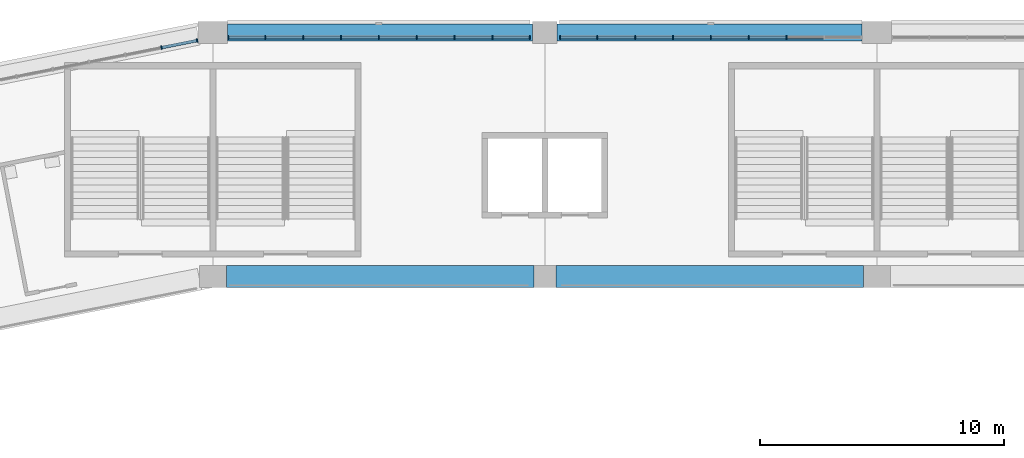
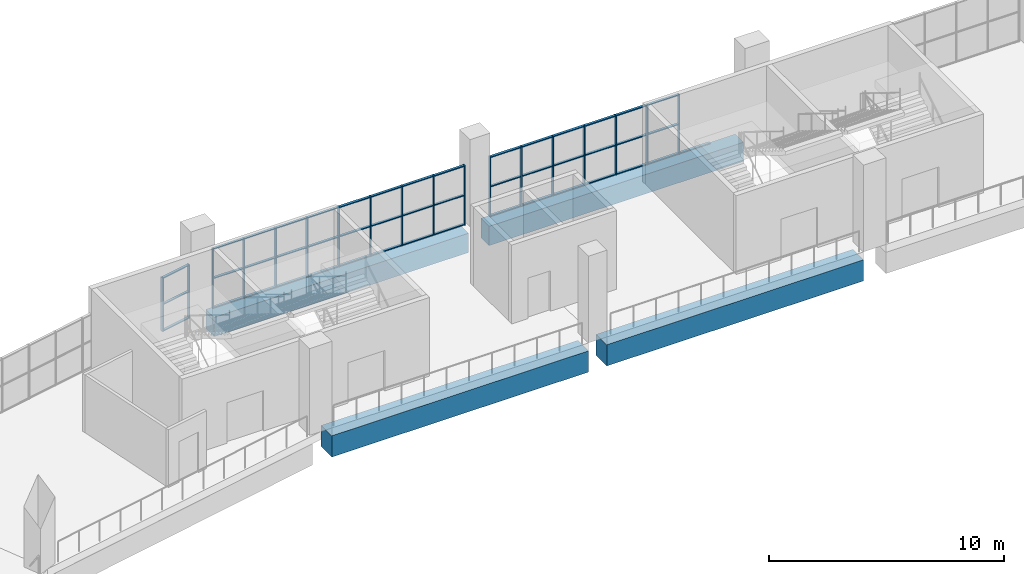
# One storey, part 32 of 177: 64 members, 4 beams, 3 elements without a shape of their own.
"""IFC4 building model written with IfcOpenShell, lengths in metres."""

from ifc_helpers import new_model, si_unit, direction, frame, origin, origin_2d, place, context, subcontext, project, spatial, rectangle, extrude, material, material_profile, profile_set, type_object, element, aggregate, save


model = new_model("IFC4")

# Units and contexts
model_context = context("Model", 3, precision=1e-05, world=origin(), true_north=direction((0.0, 1.0)))
body_context = subcontext(model_context, "Body", "Model", "MODEL_VIEW")
ifc_project = project(units=[si_unit("LENGTHUNIT", "METRE"), si_unit("AREAUNIT", "SQUARE_METRE"), si_unit("VOLUMEUNIT", "CUBIC_METRE"), si_unit("PLANEANGLEUNIT", "RADIAN"), si_unit("MASSUNIT", "GRAM", prefix="KILO")], contexts=[model_context])

# Site, building, storey
site_placement = place(None, origin())
site = spatial("IfcSite", under=ifc_project, at=site_placement, CompositionType="ELEMENT")
building_placement = place(site_placement, origin())
building = spatial("IfcBuilding", under=site, at=building_placement, Name="Ogive Plaza Stadium", CompositionType="ELEMENT")
storey_placement = place(building_placement, frame((0.0, 0.0, 18.0)))
storey = spatial("IfcBuildingStorey", under=building, at=storey_placement, Name="L04", CompositionType="ELEMENT", Elevation=18.0)

# Curtain wall, members
ifc_material_1 = material(Name="Bronze-anodised aluminium with laminated glass", Category="aluminium")
curtain_wall_type = type_object("IfcCurtainWallType", Name="Lancet curtain wall", PredefinedType="NOTDEFINED", material=ifc_material_1)
curtain_wall_1_placement = place(storey_placement, origin())
curtain_wall_1 = element("IfcCurtainWall", 1, at=curtain_wall_1_placement, inside=storey, type_object=curtain_wall_type, Name="CURTAIN WALL B31 L04", PredefinedType="NOTDEFINED")
ifc_material_2 = material(Name="Bronze-anodised aluminium", Category="aluminium")
ifc_material_profile_1 = material_profile(ifc_material_2, rectangle(XDim=0.14990234375, YDim=0.050048828125, at=origin_2d()), Name="AL 150x50")
ifc_profile_set_1 = profile_set([ifc_material_profile_1], Name="Bronze-anodised aluminium")
member_type_1 = type_object("IfcMemberType", Name="Curtain wall mullion 50x150", PredefinedType="MULLION", material=ifc_profile_set_1)
member_1_placement = place(storey_placement, frame((-36.104248046875, 101.87744140625, 0.0), z_axis=(0.0, 0.0, 1.0), x_axis=(-0.195090322016, 0.980785280403, 0.0)))
member_1 = element("IfcMember", 2, at=member_1_placement, type_object=member_type_1, Name="CW-B31-L04 mullion 12", PredefinedType="MULLION", context=body_context, shape_type="SweptSolid", body=[
    extrude(rectangle(XDim=0.14990234375, YDim=0.050048828125, at=origin_2d()), origin(), (0.0, 0.0, 1.0), 2.7900390625),
])
member_2_placement = place(storey_placement, frame((-34.64404296875, 102.16796875, 0.0), z_axis=(0.0, 0.0, 1.0), x_axis=(-0.195090322016, 0.980785280403, 0.0)))
member_2 = element("IfcMember", 3, at=member_2_placement, type_object=member_type_1, Name="CW-B31-L04 mullion 13", PredefinedType="MULLION", context=body_context, shape_type="SweptSolid", body=[
    extrude(rectangle(XDim=0.14990234375, YDim=0.050048828125, at=origin_2d()), origin(), (0.0, 0.0, 1.0), 2.7900390625),
])

curtain_wall_2_placement = place(storey_placement, origin())
curtain_wall_2 = element("IfcCurtainWall", 4, at=curtain_wall_2_placement, inside=storey, type_object=curtain_wall_type, Name="CURTAIN WALL B32 L04", PredefinedType="NOTDEFINED")
member_3_placement = place(storey_placement, frame((-33.375, 102.300048828125, 0.0), z_axis=(0.0, 0.0, 1.0), x_axis=(0.0, 1.0, 0.0)))
member_3 = element("IfcMember", 5, at=member_3_placement, type_object=member_type_1, Name="CW-B32-L04 mullion 1", PredefinedType="MULLION", context=body_context, shape_type="SweptSolid", body=[
    extrude(rectangle(XDim=0.14990234375, YDim=0.050048828125, at=origin_2d()), origin(), (0.0, 0.0, 1.0), 3.090087890625),
])
member_4_placement = place(storey_placement, frame((-31.85009765625, 102.300048828125, 0.0), z_axis=(0.0, 0.0, 1.0), x_axis=(0.0, 1.0, 0.0)))
member_4 = element("IfcMember", 6, at=member_4_placement, type_object=member_type_1, Name="CW-B32-L04 mullion 2", PredefinedType="MULLION", context=body_context, shape_type="SweptSolid", body=[
    extrude(rectangle(XDim=0.14990234375, YDim=0.050048828125, at=origin_2d()), origin(), (0.0, 0.0, 1.0), 3.090087890625),
])
member_5_placement = place(storey_placement, frame((-30.300048828125, 102.300048828125, 0.0), z_axis=(0.0, 0.0, 1.0), x_axis=(0.0, 1.0, 0.0)))
member_5 = element("IfcMember", 7, at=member_5_placement, type_object=member_type_1, Name="CW-B32-L04 mullion 3", PredefinedType="MULLION", context=body_context, shape_type="SweptSolid", body=[
    extrude(rectangle(XDim=0.14990234375, YDim=0.050048828125, at=origin_2d()), origin(), (0.0, 0.0, 1.0), 3.090087890625),
])
member_6_placement = place(storey_placement, frame((-28.75, 102.300048828125, 0.0), z_axis=(0.0, 0.0, 1.0), x_axis=(0.0, 1.0, 0.0)))
member_6 = element("IfcMember", 8, at=member_6_placement, type_object=member_type_1, Name="CW-B32-L04 mullion 4", PredefinedType="MULLION", context=body_context, shape_type="SweptSolid", body=[
    extrude(rectangle(XDim=0.14990234375, YDim=0.050048828125, at=origin_2d()), origin(), (0.0, 0.0, 1.0), 3.090087890625),
])
member_7_placement = place(storey_placement, frame((-27.199951171875, 102.300048828125, 0.0), z_axis=(0.0, 0.0, 1.0), x_axis=(0.0, 1.0, 0.0)))
member_7 = element("IfcMember", 9, at=member_7_placement, type_object=member_type_1, Name="CW-B32-L04 mullion 5", PredefinedType="MULLION", context=body_context, shape_type="SweptSolid", body=[
    extrude(rectangle(XDim=0.14990234375, YDim=0.050048828125, at=origin_2d()), origin(), (0.0, 0.0, 1.0), 3.090087890625),
])
member_8_placement = place(storey_placement, frame((-25.64990234375, 102.300048828125, 0.0), z_axis=(0.0, 0.0, 1.0), x_axis=(0.0, 1.0, 0.0)))
member_8 = element("IfcMember", 10, at=member_8_placement, type_object=member_type_1, Name="CW-B32-L04 mullion 6", PredefinedType="MULLION", context=body_context, shape_type="SweptSolid", body=[
    extrude(rectangle(XDim=0.14990234375, YDim=0.050048828125, at=origin_2d()), origin(), (0.0, 0.0, 1.0), 3.090087890625),
])
member_9_placement = place(storey_placement, frame((-24.10009765625, 102.300048828125, 0.0), z_axis=(0.0, 0.0, 1.0), x_axis=(0.0, 1.0, 0.0)))
member_9 = element("IfcMember", 11, at=member_9_placement, type_object=member_type_1, Name="CW-B32-L04 mullion 7", PredefinedType="MULLION", context=body_context, shape_type="SweptSolid", body=[
    extrude(rectangle(XDim=0.14990234375, YDim=0.050048828125, at=origin_2d()), origin(), (0.0, 0.0, 1.0), 3.090087890625),
])
member_10_placement = place(storey_placement, frame((-22.550048828125, 102.300048828125, 0.0), z_axis=(0.0, 0.0, 1.0), x_axis=(0.0, 1.0, 0.0)))
member_10 = element("IfcMember", 12, at=member_10_placement, type_object=member_type_1, Name="CW-B32-L04 mullion 8", PredefinedType="MULLION", context=body_context, shape_type="SweptSolid", body=[
    extrude(rectangle(XDim=0.14990234375, YDim=0.050048828125, at=origin_2d()), origin(), (0.0, 0.0, 1.0), 3.090087890625),
])
member_11_placement = place(storey_placement, frame((-21.02490234375, 102.300048828125, 0.0), z_axis=(0.0, 0.0, 1.0), x_axis=(0.0, 1.0, 0.0)))
member_11 = element("IfcMember", 13, at=member_11_placement, type_object=member_type_1, Name="CW-B32-L04 mullion 9", PredefinedType="MULLION", context=body_context, shape_type="SweptSolid", body=[
    extrude(rectangle(XDim=0.14990234375, YDim=0.050048828125, at=origin_2d()), origin(), (0.0, 0.0, 1.0), 3.090087890625),
])

curtain_wall_3_placement = place(storey_placement, origin())
curtain_wall_3 = element("IfcCurtainWall", 14, at=curtain_wall_3_placement, inside=storey, type_object=curtain_wall_type, Name="CURTAIN WALL B33 L04", PredefinedType="NOTDEFINED")
member_12_placement = place(storey_placement, frame((-19.77490234375, 102.300048828125, 0.0), z_axis=(0.0, 0.0, 1.0), x_axis=(0.0, 1.0, 0.0)))
member_12 = element("IfcMember", 15, at=member_12_placement, type_object=member_type_1, Name="CW-B33-L04 mullion 1", PredefinedType="MULLION", context=body_context, shape_type="SweptSolid", body=[
    extrude(rectangle(XDim=0.14990234375, YDim=0.050048828125, at=origin_2d()), origin(), (0.0, 0.0, 1.0), 3.090087890625),
])
member_13_placement = place(storey_placement, frame((-18.25, 102.300048828125, 0.0), z_axis=(0.0, 0.0, 1.0), x_axis=(0.0, 1.0, 0.0)))
member_13 = element("IfcMember", 16, at=member_13_placement, type_object=member_type_1, Name="CW-B33-L04 mullion 2", PredefinedType="MULLION", context=body_context, shape_type="SweptSolid", body=[
    extrude(rectangle(XDim=0.14990234375, YDim=0.050048828125, at=origin_2d()), origin(), (0.0, 0.0, 1.0), 3.090087890625),
])
member_14_placement = place(storey_placement, frame((-16.699951171875, 102.300048828125, 0.0), z_axis=(0.0, 0.0, 1.0), x_axis=(0.0, 1.0, 0.0)))
member_14 = element("IfcMember", 17, at=member_14_placement, type_object=member_type_1, Name="CW-B33-L04 mullion 3", PredefinedType="MULLION", context=body_context, shape_type="SweptSolid", body=[
    extrude(rectangle(XDim=0.14990234375, YDim=0.050048828125, at=origin_2d()), origin(), (0.0, 0.0, 1.0), 3.090087890625),
])
member_15_placement = place(storey_placement, frame((-15.14990234375, 102.300048828125, 0.0), z_axis=(0.0, 0.0, 1.0), x_axis=(0.0, 1.0, 0.0)))
member_15 = element("IfcMember", 18, at=member_15_placement, type_object=member_type_1, Name="CW-B33-L04 mullion 4", PredefinedType="MULLION", context=body_context, shape_type="SweptSolid", body=[
    extrude(rectangle(XDim=0.14990234375, YDim=0.050048828125, at=origin_2d()), origin(), (0.0, 0.0, 1.0), 3.090087890625),
])
member_16_placement = place(storey_placement, frame((-13.60009765625, 102.300048828125, 0.0), z_axis=(0.0, 0.0, 1.0), x_axis=(0.0, 1.0, 0.0)))
member_16 = element("IfcMember", 19, at=member_16_placement, type_object=member_type_1, Name="CW-B33-L04 mullion 5", PredefinedType="MULLION", context=body_context, shape_type="SweptSolid", body=[
    extrude(rectangle(XDim=0.14990234375, YDim=0.050048828125, at=origin_2d()), origin(), (0.0, 0.0, 1.0), 3.090087890625),
])
member_17_placement = place(storey_placement, frame((-12.050048828125, 102.300048828125, 0.0), z_axis=(0.0, 0.0, 1.0), x_axis=(0.0, 1.0, 0.0)))
member_17 = element("IfcMember", 20, at=member_17_placement, type_object=member_type_1, Name="CW-B33-L04 mullion 6", PredefinedType="MULLION", context=body_context, shape_type="SweptSolid", body=[
    extrude(rectangle(XDim=0.14990234375, YDim=0.050048828125, at=origin_2d()), origin(), (0.0, 0.0, 1.0), 3.090087890625),
])
member_18_placement = place(storey_placement, frame((-10.5, 102.300048828125, 0.0), z_axis=(0.0, 0.0, 1.0), x_axis=(0.0, 1.0, 0.0)))
member_18 = element("IfcMember", 21, at=member_18_placement, type_object=member_type_1, Name="CW-B33-L04 mullion 7", PredefinedType="MULLION", context=body_context, shape_type="SweptSolid", body=[
    extrude(rectangle(XDim=0.14990234375, YDim=0.050048828125, at=origin_2d()), origin(), (0.0, 0.0, 1.0), 3.090087890625),
])

# Member
ifc_material_3 = material(Name="Bronze-anodised aluminium", Category="aluminium")
ifc_material_profile_2 = material_profile(ifc_material_3, rectangle(XDim=0.1201171875, YDim=0.050048828125, at=origin_2d()), Name="AL 120x50")
ifc_profile_set_2 = profile_set([ifc_material_profile_2], Name="Bronze-anodised aluminium")
member_type_2 = type_object("IfcMemberType", Name="Curtain wall transom 50x120", PredefinedType="USERDEFINED", material=ifc_profile_set_2)
member_19_placement = place(storey_placement, frame((-36.079833984375, 101.88232421875, 0.02490234375), z_axis=(0.980782436465, 0.195104618913, 0.0), x_axis=(-0.195104618913, 0.980782436465, 0.0)))
member_19 = element("IfcMember", 22, at=member_19_placement, type_object=member_type_2, Name="CW-B31-L04 transom 12.1", ObjectType="TRANSOM", PredefinedType="USERDEFINED", context=body_context, shape_type="SweptSolid", body=[
    extrude(rectangle(XDim=0.1201171875, YDim=0.050048828125, at=origin_2d()), origin(), (0.0, 0.0, 1.0), 1.43896484375),
])

member_20_placement = place(storey_placement, frame((-36.079833984375, 101.88232421875, 1.39501953125), z_axis=(0.980782436465, 0.195104618913, 0.0), x_axis=(-0.195104618913, 0.980782436465, 0.0)))
member_20 = element("IfcMember", 23, at=member_20_placement, type_object=member_type_2, Name="CW-B31-L04 transom 12.2", ObjectType="TRANSOM", PredefinedType="USERDEFINED", context=body_context, shape_type="SweptSolid", body=[
    extrude(rectangle(XDim=0.1201171875, YDim=0.050048828125, at=origin_2d()), origin(), (0.0, 0.0, 1.0), 1.43896484375),
])

member_21_placement = place(storey_placement, frame((-36.079833984375, 101.88232421875, 2.764892578125), z_axis=(0.980782436465, 0.195104618913, 0.0), x_axis=(-0.195104618913, 0.980782436465, 0.0)))
member_21 = element("IfcMember", 24, at=member_21_placement, type_object=member_type_2, Name="CW-B31-L04 transom 12.3", ObjectType="TRANSOM", PredefinedType="USERDEFINED", context=body_context, shape_type="SweptSolid", body=[
    extrude(rectangle(XDim=0.1201171875, YDim=0.050048828125, at=origin_2d()), origin(), (0.0, 0.0, 1.0), 1.43896484375),
])

aggregate(curtain_wall_1, [member_1, member_2, member_19, member_20, member_21])

member_22_placement = place(storey_placement, frame((-33.35009765625, 102.300048828125, 0.02490234375), z_axis=(1.0, 0.0, 0.0), x_axis=(0.0, 1.0, 0.0)))
member_22 = element("IfcMember", 25, at=member_22_placement, type_object=member_type_2, Name="CW-B32-L04 transom 1.1", ObjectType="TRANSOM", PredefinedType="USERDEFINED", context=body_context, shape_type="SweptSolid", body=[
    extrude(rectangle(XDim=0.1201171875, YDim=0.050048828125, at=origin_2d()), origin(), (0.0, 0.0, 1.0), 1.47509765625),
])

member_23_placement = place(storey_placement, frame((-33.35009765625, 102.300048828125, 1.544921875), z_axis=(1.0, 0.0, 0.0), x_axis=(0.0, 1.0, 0.0)))
member_23 = element("IfcMember", 26, at=member_23_placement, type_object=member_type_2, Name="CW-B32-L04 transom 1.2", ObjectType="TRANSOM", PredefinedType="USERDEFINED", context=body_context, shape_type="SweptSolid", body=[
    extrude(rectangle(XDim=0.1201171875, YDim=0.050048828125, at=origin_2d()), origin(), (0.0, 0.0, 1.0), 1.47509765625),
])

member_24_placement = place(storey_placement, frame((-33.35009765625, 102.300048828125, 3.06494140625), z_axis=(1.0, 0.0, 0.0), x_axis=(0.0, 1.0, 0.0)))
member_24 = element("IfcMember", 27, at=member_24_placement, type_object=member_type_2, Name="CW-B32-L04 transom 1.3", ObjectType="TRANSOM", PredefinedType="USERDEFINED", context=body_context, shape_type="SweptSolid", body=[
    extrude(rectangle(XDim=0.1201171875, YDim=0.050048828125, at=origin_2d()), origin(), (0.0, 0.0, 1.0), 1.47509765625),
])

member_25_placement = place(storey_placement, frame((-31.824951171875, 102.300048828125, 0.02490234375), z_axis=(1.0, 0.0, 0.0), x_axis=(0.0, 1.0, 0.0)))
member_25 = element("IfcMember", 28, at=member_25_placement, type_object=member_type_2, Name="CW-B32-L04 transom 2.1", ObjectType="TRANSOM", PredefinedType="USERDEFINED", context=body_context, shape_type="SweptSolid", body=[
    extrude(rectangle(XDim=0.1201171875, YDim=0.050048828125, at=origin_2d()), origin(), (0.0, 0.0, 1.0), 1.5),
])

member_26_placement = place(storey_placement, frame((-31.824951171875, 102.300048828125, 1.544921875), z_axis=(1.0, 0.0, 0.0), x_axis=(0.0, 1.0, 0.0)))
member_26 = element("IfcMember", 29, at=member_26_placement, type_object=member_type_2, Name="CW-B32-L04 transom 2.2", ObjectType="TRANSOM", PredefinedType="USERDEFINED", context=body_context, shape_type="SweptSolid", body=[
    extrude(rectangle(XDim=0.1201171875, YDim=0.050048828125, at=origin_2d()), origin(), (0.0, 0.0, 1.0), 1.5),
])

member_27_placement = place(storey_placement, frame((-31.824951171875, 102.300048828125, 3.06494140625), z_axis=(1.0, 0.0, 0.0), x_axis=(0.0, 1.0, 0.0)))
member_27 = element("IfcMember", 30, at=member_27_placement, type_object=member_type_2, Name="CW-B32-L04 transom 2.3", ObjectType="TRANSOM", PredefinedType="USERDEFINED", context=body_context, shape_type="SweptSolid", body=[
    extrude(rectangle(XDim=0.1201171875, YDim=0.050048828125, at=origin_2d()), origin(), (0.0, 0.0, 1.0), 1.5),
])

member_28_placement = place(storey_placement, frame((-30.27490234375, 102.300048828125, 0.02490234375), z_axis=(1.0, 0.0, 0.0), x_axis=(0.0, 1.0, 0.0)))
member_28 = element("IfcMember", 31, at=member_28_placement, type_object=member_type_2, Name="CW-B32-L04 transom 3.1", ObjectType="TRANSOM", PredefinedType="USERDEFINED", context=body_context, shape_type="SweptSolid", body=[
    extrude(rectangle(XDim=0.1201171875, YDim=0.050048828125, at=origin_2d()), origin(), (0.0, 0.0, 1.0), 1.5),
])

member_29_placement = place(storey_placement, frame((-30.27490234375, 102.300048828125, 1.544921875), z_axis=(1.0, 0.0, 0.0), x_axis=(0.0, 1.0, 0.0)))
member_29 = element("IfcMember", 32, at=member_29_placement, type_object=member_type_2, Name="CW-B32-L04 transom 3.2", ObjectType="TRANSOM", PredefinedType="USERDEFINED", context=body_context, shape_type="SweptSolid", body=[
    extrude(rectangle(XDim=0.1201171875, YDim=0.050048828125, at=origin_2d()), origin(), (0.0, 0.0, 1.0), 1.5),
])

member_30_placement = place(storey_placement, frame((-30.27490234375, 102.300048828125, 3.06494140625), z_axis=(1.0, 0.0, 0.0), x_axis=(0.0, 1.0, 0.0)))
member_30 = element("IfcMember", 33, at=member_30_placement, type_object=member_type_2, Name="CW-B32-L04 transom 3.3", ObjectType="TRANSOM", PredefinedType="USERDEFINED", context=body_context, shape_type="SweptSolid", body=[
    extrude(rectangle(XDim=0.1201171875, YDim=0.050048828125, at=origin_2d()), origin(), (0.0, 0.0, 1.0), 1.5),
])

member_31_placement = place(storey_placement, frame((-28.72509765625, 102.300048828125, 0.02490234375), z_axis=(1.0, 0.0, 0.0), x_axis=(0.0, 1.0, 0.0)))
member_31 = element("IfcMember", 34, at=member_31_placement, type_object=member_type_2, Name="CW-B32-L04 transom 4.1", ObjectType="TRANSOM", PredefinedType="USERDEFINED", context=body_context, shape_type="SweptSolid", body=[
    extrude(rectangle(XDim=0.1201171875, YDim=0.050048828125, at=origin_2d()), origin(), (0.0, 0.0, 1.0), 1.5),
])

member_32_placement = place(storey_placement, frame((-28.72509765625, 102.300048828125, 1.544921875), z_axis=(1.0, 0.0, 0.0), x_axis=(0.0, 1.0, 0.0)))
member_32 = element("IfcMember", 35, at=member_32_placement, type_object=member_type_2, Name="CW-B32-L04 transom 4.2", ObjectType="TRANSOM", PredefinedType="USERDEFINED", context=body_context, shape_type="SweptSolid", body=[
    extrude(rectangle(XDim=0.1201171875, YDim=0.050048828125, at=origin_2d()), origin(), (0.0, 0.0, 1.0), 1.5),
])

member_33_placement = place(storey_placement, frame((-28.72509765625, 102.300048828125, 3.06494140625), z_axis=(1.0, 0.0, 0.0), x_axis=(0.0, 1.0, 0.0)))
member_33 = element("IfcMember", 36, at=member_33_placement, type_object=member_type_2, Name="CW-B32-L04 transom 4.3", ObjectType="TRANSOM", PredefinedType="USERDEFINED", context=body_context, shape_type="SweptSolid", body=[
    extrude(rectangle(XDim=0.1201171875, YDim=0.050048828125, at=origin_2d()), origin(), (0.0, 0.0, 1.0), 1.5),
])

member_34_placement = place(storey_placement, frame((-27.175048828125, 102.300048828125, 0.02490234375), z_axis=(1.0, 0.0, 0.0), x_axis=(0.0, 1.0, 0.0)))
member_34 = element("IfcMember", 37, at=member_34_placement, type_object=member_type_2, Name="CW-B32-L04 transom 5.1", ObjectType="TRANSOM", PredefinedType="USERDEFINED", context=body_context, shape_type="SweptSolid", body=[
    extrude(rectangle(XDim=0.1201171875, YDim=0.050048828125, at=origin_2d()), origin(), (0.0, 0.0, 1.0), 1.5),
])

member_35_placement = place(storey_placement, frame((-27.175048828125, 102.300048828125, 1.544921875), z_axis=(1.0, 0.0, 0.0), x_axis=(0.0, 1.0, 0.0)))
member_35 = element("IfcMember", 38, at=member_35_placement, type_object=member_type_2, Name="CW-B32-L04 transom 5.2", ObjectType="TRANSOM", PredefinedType="USERDEFINED", context=body_context, shape_type="SweptSolid", body=[
    extrude(rectangle(XDim=0.1201171875, YDim=0.050048828125, at=origin_2d()), origin(), (0.0, 0.0, 1.0), 1.5),
])

member_36_placement = place(storey_placement, frame((-27.175048828125, 102.300048828125, 3.06494140625), z_axis=(1.0, 0.0, 0.0), x_axis=(0.0, 1.0, 0.0)))
member_36 = element("IfcMember", 39, at=member_36_placement, type_object=member_type_2, Name="CW-B32-L04 transom 5.3", ObjectType="TRANSOM", PredefinedType="USERDEFINED", context=body_context, shape_type="SweptSolid", body=[
    extrude(rectangle(XDim=0.1201171875, YDim=0.050048828125, at=origin_2d()), origin(), (0.0, 0.0, 1.0), 1.5),
])

member_37_placement = place(storey_placement, frame((-25.625, 102.300048828125, 0.02490234375), z_axis=(1.0, 0.0, 0.0), x_axis=(0.0, 1.0, 0.0)))
member_37 = element("IfcMember", 40, at=member_37_placement, type_object=member_type_2, Name="CW-B32-L04 transom 6.1", ObjectType="TRANSOM", PredefinedType="USERDEFINED", context=body_context, shape_type="SweptSolid", body=[
    extrude(rectangle(XDim=0.1201171875, YDim=0.050048828125, at=origin_2d()), origin(), (0.0, 0.0, 1.0), 1.5),
])

member_38_placement = place(storey_placement, frame((-25.625, 102.300048828125, 1.544921875), z_axis=(1.0, 0.0, 0.0), x_axis=(0.0, 1.0, 0.0)))
member_38 = element("IfcMember", 41, at=member_38_placement, type_object=member_type_2, Name="CW-B32-L04 transom 6.2", ObjectType="TRANSOM", PredefinedType="USERDEFINED", context=body_context, shape_type="SweptSolid", body=[
    extrude(rectangle(XDim=0.1201171875, YDim=0.050048828125, at=origin_2d()), origin(), (0.0, 0.0, 1.0), 1.5),
])

member_39_placement = place(storey_placement, frame((-25.625, 102.300048828125, 3.06494140625), z_axis=(1.0, 0.0, 0.0), x_axis=(0.0, 1.0, 0.0)))
member_39 = element("IfcMember", 42, at=member_39_placement, type_object=member_type_2, Name="CW-B32-L04 transom 6.3", ObjectType="TRANSOM", PredefinedType="USERDEFINED", context=body_context, shape_type="SweptSolid", body=[
    extrude(rectangle(XDim=0.1201171875, YDim=0.050048828125, at=origin_2d()), origin(), (0.0, 0.0, 1.0), 1.5),
])

member_40_placement = place(storey_placement, frame((-24.074951171875, 102.300048828125, 0.02490234375), z_axis=(1.0, 0.0, 0.0), x_axis=(0.0, 1.0, 0.0)))
member_40 = element("IfcMember", 43, at=member_40_placement, type_object=member_type_2, Name="CW-B32-L04 transom 7.1", ObjectType="TRANSOM", PredefinedType="USERDEFINED", context=body_context, shape_type="SweptSolid", body=[
    extrude(rectangle(XDim=0.1201171875, YDim=0.050048828125, at=origin_2d()), origin(), (0.0, 0.0, 1.0), 1.5),
])

member_41_placement = place(storey_placement, frame((-24.074951171875, 102.300048828125, 1.544921875), z_axis=(1.0, 0.0, 0.0), x_axis=(0.0, 1.0, 0.0)))
member_41 = element("IfcMember", 44, at=member_41_placement, type_object=member_type_2, Name="CW-B32-L04 transom 7.2", ObjectType="TRANSOM", PredefinedType="USERDEFINED", context=body_context, shape_type="SweptSolid", body=[
    extrude(rectangle(XDim=0.1201171875, YDim=0.050048828125, at=origin_2d()), origin(), (0.0, 0.0, 1.0), 1.5),
])

member_42_placement = place(storey_placement, frame((-24.074951171875, 102.300048828125, 3.06494140625), z_axis=(1.0, 0.0, 0.0), x_axis=(0.0, 1.0, 0.0)))
member_42 = element("IfcMember", 45, at=member_42_placement, type_object=member_type_2, Name="CW-B32-L04 transom 7.3", ObjectType="TRANSOM", PredefinedType="USERDEFINED", context=body_context, shape_type="SweptSolid", body=[
    extrude(rectangle(XDim=0.1201171875, YDim=0.050048828125, at=origin_2d()), origin(), (0.0, 0.0, 1.0), 1.5),
])

member_43_placement = place(storey_placement, frame((-22.52490234375, 102.300048828125, 0.02490234375), z_axis=(1.0, 0.0, 0.0), x_axis=(0.0, 1.0, 0.0)))
member_43 = element("IfcMember", 46, at=member_43_placement, type_object=member_type_2, Name="CW-B32-L04 transom 8.1", ObjectType="TRANSOM", PredefinedType="USERDEFINED", context=body_context, shape_type="SweptSolid", body=[
    extrude(rectangle(XDim=0.1201171875, YDim=0.050048828125, at=origin_2d()), origin(), (0.0, 0.0, 1.0), 1.474853515625),
])

member_44_placement = place(storey_placement, frame((-22.52490234375, 102.300048828125, 1.544921875), z_axis=(1.0, 0.0, 0.0), x_axis=(0.0, 1.0, 0.0)))
member_44 = element("IfcMember", 47, at=member_44_placement, type_object=member_type_2, Name="CW-B32-L04 transom 8.2", ObjectType="TRANSOM", PredefinedType="USERDEFINED", context=body_context, shape_type="SweptSolid", body=[
    extrude(rectangle(XDim=0.1201171875, YDim=0.050048828125, at=origin_2d()), origin(), (0.0, 0.0, 1.0), 1.474853515625),
])

member_45_placement = place(storey_placement, frame((-22.52490234375, 102.300048828125, 3.06494140625), z_axis=(1.0, 0.0, 0.0), x_axis=(0.0, 1.0, 0.0)))
member_45 = element("IfcMember", 48, at=member_45_placement, type_object=member_type_2, Name="CW-B32-L04 transom 8.3", ObjectType="TRANSOM", PredefinedType="USERDEFINED", context=body_context, shape_type="SweptSolid", body=[
    extrude(rectangle(XDim=0.1201171875, YDim=0.050048828125, at=origin_2d()), origin(), (0.0, 0.0, 1.0), 1.474853515625),
])

aggregate(curtain_wall_2, [member_3, member_4, member_5, member_6, member_7, member_8, member_9, member_10, member_11, member_22, member_23, member_24, member_25, member_26, member_27, member_28, member_29, member_30, member_31, member_32, member_33, member_34, member_35, member_36, member_37, member_38, member_39, member_40, member_41, member_42, member_43, member_44, member_45])

member_46_placement = place(storey_placement, frame((-19.75, 102.300048828125, 0.02490234375), z_axis=(1.0, 0.0, 0.0), x_axis=(0.0, 1.0, 0.0)))
member_46 = element("IfcMember", 49, at=member_46_placement, type_object=member_type_2, Name="CW-B33-L04 transom 1.1", ObjectType="TRANSOM", PredefinedType="USERDEFINED", context=body_context, shape_type="SweptSolid", body=[
    extrude(rectangle(XDim=0.1201171875, YDim=0.050048828125, at=origin_2d()), origin(), (0.0, 0.0, 1.0), 1.47509765625),
])

member_47_placement = place(storey_placement, frame((-19.75, 102.300048828125, 1.544921875), z_axis=(1.0, 0.0, 0.0), x_axis=(0.0, 1.0, 0.0)))
member_47 = element("IfcMember", 50, at=member_47_placement, type_object=member_type_2, Name="CW-B33-L04 transom 1.2", ObjectType="TRANSOM", PredefinedType="USERDEFINED", context=body_context, shape_type="SweptSolid", body=[
    extrude(rectangle(XDim=0.1201171875, YDim=0.050048828125, at=origin_2d()), origin(), (0.0, 0.0, 1.0), 1.47509765625),
])

member_48_placement = place(storey_placement, frame((-19.75, 102.300048828125, 3.06494140625), z_axis=(1.0, 0.0, 0.0), x_axis=(0.0, 1.0, 0.0)))
member_48 = element("IfcMember", 51, at=member_48_placement, type_object=member_type_2, Name="CW-B33-L04 transom 1.3", ObjectType="TRANSOM", PredefinedType="USERDEFINED", context=body_context, shape_type="SweptSolid", body=[
    extrude(rectangle(XDim=0.1201171875, YDim=0.050048828125, at=origin_2d()), origin(), (0.0, 0.0, 1.0), 1.47509765625),
])

member_49_placement = place(storey_placement, frame((-18.22509765625, 102.300048828125, 0.02490234375), z_axis=(1.0, 0.0, 0.0), x_axis=(0.0, 1.0, 0.0)))
member_49 = element("IfcMember", 52, at=member_49_placement, type_object=member_type_2, Name="CW-B33-L04 transom 2.1", ObjectType="TRANSOM", PredefinedType="USERDEFINED", context=body_context, shape_type="SweptSolid", body=[
    extrude(rectangle(XDim=0.1201171875, YDim=0.050048828125, at=origin_2d()), origin(), (0.0, 0.0, 1.0), 1.5),
])

member_50_placement = place(storey_placement, frame((-18.22509765625, 102.300048828125, 1.544921875), z_axis=(1.0, 0.0, 0.0), x_axis=(0.0, 1.0, 0.0)))
member_50 = element("IfcMember", 53, at=member_50_placement, type_object=member_type_2, Name="CW-B33-L04 transom 2.2", ObjectType="TRANSOM", PredefinedType="USERDEFINED", context=body_context, shape_type="SweptSolid", body=[
    extrude(rectangle(XDim=0.1201171875, YDim=0.050048828125, at=origin_2d()), origin(), (0.0, 0.0, 1.0), 1.5),
])

member_51_placement = place(storey_placement, frame((-18.22509765625, 102.300048828125, 3.06494140625), z_axis=(1.0, 0.0, 0.0), x_axis=(0.0, 1.0, 0.0)))
member_51 = element("IfcMember", 54, at=member_51_placement, type_object=member_type_2, Name="CW-B33-L04 transom 2.3", ObjectType="TRANSOM", PredefinedType="USERDEFINED", context=body_context, shape_type="SweptSolid", body=[
    extrude(rectangle(XDim=0.1201171875, YDim=0.050048828125, at=origin_2d()), origin(), (0.0, 0.0, 1.0), 1.5),
])

member_52_placement = place(storey_placement, frame((-16.675048828125, 102.300048828125, 0.02490234375), z_axis=(1.0, 0.0, 0.0), x_axis=(0.0, 1.0, 0.0)))
member_52 = element("IfcMember", 55, at=member_52_placement, type_object=member_type_2, Name="CW-B33-L04 transom 3.1", ObjectType="TRANSOM", PredefinedType="USERDEFINED", context=body_context, shape_type="SweptSolid", body=[
    extrude(rectangle(XDim=0.1201171875, YDim=0.050048828125, at=origin_2d()), origin(), (0.0, 0.0, 1.0), 1.5),
])

member_53_placement = place(storey_placement, frame((-16.675048828125, 102.300048828125, 1.544921875), z_axis=(1.0, 0.0, 0.0), x_axis=(0.0, 1.0, 0.0)))
member_53 = element("IfcMember", 56, at=member_53_placement, type_object=member_type_2, Name="CW-B33-L04 transom 3.2", ObjectType="TRANSOM", PredefinedType="USERDEFINED", context=body_context, shape_type="SweptSolid", body=[
    extrude(rectangle(XDim=0.1201171875, YDim=0.050048828125, at=origin_2d()), origin(), (0.0, 0.0, 1.0), 1.5),
])

member_54_placement = place(storey_placement, frame((-16.675048828125, 102.300048828125, 3.06494140625), z_axis=(1.0, 0.0, 0.0), x_axis=(0.0, 1.0, 0.0)))
member_54 = element("IfcMember", 57, at=member_54_placement, type_object=member_type_2, Name="CW-B33-L04 transom 3.3", ObjectType="TRANSOM", PredefinedType="USERDEFINED", context=body_context, shape_type="SweptSolid", body=[
    extrude(rectangle(XDim=0.1201171875, YDim=0.050048828125, at=origin_2d()), origin(), (0.0, 0.0, 1.0), 1.5),
])

member_55_placement = place(storey_placement, frame((-15.125, 102.300048828125, 0.02490234375), z_axis=(1.0, 0.0, 0.0), x_axis=(0.0, 1.0, 0.0)))
member_55 = element("IfcMember", 58, at=member_55_placement, type_object=member_type_2, Name="CW-B33-L04 transom 4.1", ObjectType="TRANSOM", PredefinedType="USERDEFINED", context=body_context, shape_type="SweptSolid", body=[
    extrude(rectangle(XDim=0.1201171875, YDim=0.050048828125, at=origin_2d()), origin(), (0.0, 0.0, 1.0), 1.5),
])

member_56_placement = place(storey_placement, frame((-15.125, 102.300048828125, 1.544921875), z_axis=(1.0, 0.0, 0.0), x_axis=(0.0, 1.0, 0.0)))
member_56 = element("IfcMember", 59, at=member_56_placement, type_object=member_type_2, Name="CW-B33-L04 transom 4.2", ObjectType="TRANSOM", PredefinedType="USERDEFINED", context=body_context, shape_type="SweptSolid", body=[
    extrude(rectangle(XDim=0.1201171875, YDim=0.050048828125, at=origin_2d()), origin(), (0.0, 0.0, 1.0), 1.5),
])

member_57_placement = place(storey_placement, frame((-15.125, 102.300048828125, 3.06494140625), z_axis=(1.0, 0.0, 0.0), x_axis=(0.0, 1.0, 0.0)))
member_57 = element("IfcMember", 60, at=member_57_placement, type_object=member_type_2, Name="CW-B33-L04 transom 4.3", ObjectType="TRANSOM", PredefinedType="USERDEFINED", context=body_context, shape_type="SweptSolid", body=[
    extrude(rectangle(XDim=0.1201171875, YDim=0.050048828125, at=origin_2d()), origin(), (0.0, 0.0, 1.0), 1.5),
])

member_58_placement = place(storey_placement, frame((-13.574951171875, 102.300048828125, 0.02490234375), z_axis=(1.0, 0.0, 0.0), x_axis=(0.0, 1.0, 0.0)))
member_58 = element("IfcMember", 61, at=member_58_placement, type_object=member_type_2, Name="CW-B33-L04 transom 5.1", ObjectType="TRANSOM", PredefinedType="USERDEFINED", context=body_context, shape_type="SweptSolid", body=[
    extrude(rectangle(XDim=0.1201171875, YDim=0.050048828125, at=origin_2d()), origin(), (0.0, 0.0, 1.0), 1.5),
])

member_59_placement = place(storey_placement, frame((-13.574951171875, 102.300048828125, 1.544921875), z_axis=(1.0, 0.0, 0.0), x_axis=(0.0, 1.0, 0.0)))
member_59 = element("IfcMember", 62, at=member_59_placement, type_object=member_type_2, Name="CW-B33-L04 transom 5.2", ObjectType="TRANSOM", PredefinedType="USERDEFINED", context=body_context, shape_type="SweptSolid", body=[
    extrude(rectangle(XDim=0.1201171875, YDim=0.050048828125, at=origin_2d()), origin(), (0.0, 0.0, 1.0), 1.5),
])

member_60_placement = place(storey_placement, frame((-13.574951171875, 102.300048828125, 3.06494140625), z_axis=(1.0, 0.0, 0.0), x_axis=(0.0, 1.0, 0.0)))
member_60 = element("IfcMember", 63, at=member_60_placement, type_object=member_type_2, Name="CW-B33-L04 transom 5.3", ObjectType="TRANSOM", PredefinedType="USERDEFINED", context=body_context, shape_type="SweptSolid", body=[
    extrude(rectangle(XDim=0.1201171875, YDim=0.050048828125, at=origin_2d()), origin(), (0.0, 0.0, 1.0), 1.5),
])

member_61_placement = place(storey_placement, frame((-12.02490234375, 102.300048828125, 0.02490234375), z_axis=(1.0, 0.0, 0.0), x_axis=(0.0, 1.0, 0.0)))
member_61 = element("IfcMember", 64, at=member_61_placement, type_object=member_type_2, Name="CW-B33-L04 transom 6.1", ObjectType="TRANSOM", PredefinedType="USERDEFINED", context=body_context, shape_type="SweptSolid", body=[
    extrude(rectangle(XDim=0.1201171875, YDim=0.050048828125, at=origin_2d()), origin(), (0.0, 0.0, 1.0), 1.5),
])

member_62_placement = place(storey_placement, frame((-12.02490234375, 102.300048828125, 1.544921875), z_axis=(1.0, 0.0, 0.0), x_axis=(0.0, 1.0, 0.0)))
member_62 = element("IfcMember", 65, at=member_62_placement, type_object=member_type_2, Name="CW-B33-L04 transom 6.2", ObjectType="TRANSOM", PredefinedType="USERDEFINED", context=body_context, shape_type="SweptSolid", body=[
    extrude(rectangle(XDim=0.1201171875, YDim=0.050048828125, at=origin_2d()), origin(), (0.0, 0.0, 1.0), 1.5),
])

member_63_placement = place(storey_placement, frame((-12.02490234375, 102.300048828125, 3.06494140625), z_axis=(1.0, 0.0, 0.0), x_axis=(0.0, 1.0, 0.0)))
member_63 = element("IfcMember", 66, at=member_63_placement, type_object=member_type_2, Name="CW-B33-L04 transom 6.3", ObjectType="TRANSOM", PredefinedType="USERDEFINED", context=body_context, shape_type="SweptSolid", body=[
    extrude(rectangle(XDim=0.1201171875, YDim=0.050048828125, at=origin_2d()), origin(), (0.0, 0.0, 1.0), 1.5),
])

member_64_placement = place(storey_placement, frame((-10.47509765625, 102.300048828125, 0.02490234375), z_axis=(1.0, 0.0, 0.0), x_axis=(0.0, 1.0, 0.0)))
member_64 = element("IfcMember", 67, at=member_64_placement, type_object=member_type_2, Name="CW-B33-L04 transom 7.1", ObjectType="TRANSOM", PredefinedType="USERDEFINED", context=body_context, shape_type="SweptSolid", body=[
    extrude(rectangle(XDim=0.1201171875, YDim=0.050048828125, at=origin_2d()), origin(), (0.0, 0.0, 1.0), 1.5),
])

aggregate(curtain_wall_3, [member_12, member_13, member_14, member_15, member_16, member_17, member_18, member_46, member_47, member_48, member_49, member_50, member_51, member_52, member_53, member_54, member_55, member_56, member_57, member_58, member_59, member_60, member_61, member_62, member_63, member_64])

# Beams
ifc_material_4 = material(Name="Concrete C40/50", Category="concrete")
ifc_material_profile_3 = material_profile(ifc_material_4, rectangle(XDim=0.89990234375, YDim=1.10009765625, at=origin_2d()), Name="RC 900x1100")
ifc_profile_set_3 = profile_set([ifc_material_profile_3], Name="Concrete C40/50")
beam_type_1 = type_object("IfcBeamType", Name="RC ring beam 900x1100", PredefinedType="BEAM", material=ifc_profile_set_3)
for number, where, z_axis, x_axis, name in (
    (68, (-33.449951171875, 92.5, -0.9599609375), (1.0, 0.0, 0.0), (0.0, 1.0, 0.0), "Ring beam F4 L04 B32"),
    (69, (-19.949951171875, 92.5, -0.9599609375), (1.0, 0.0, 0.0), (0.0, 1.0, 0.0), "Ring beam F4 L04 B33"),
):
    element("IfcBeam", number, at=place(storey_placement, frame(where, z_axis=z_axis, x_axis=x_axis)), inside=storey, type_object=beam_type_1, Name=name, PredefinedType="BEAM", context=body_context, shape_type="SweptSolid", body=[
        extrude(rectangle(XDim=0.89990234375, YDim=1.10009765625, at=origin_2d()), origin(), (0.0, 0.0, 1.0), 12.599853515625),
    ])
ifc_material_5 = material(Name="Concrete C40/50", Category="concrete")
ifc_material_profile_4 = material_profile(ifc_material_5, rectangle(XDim=0.699951171875, YDim=1.0, at=origin_2d()), Name="RC 700x1000")
ifc_profile_set_4 = profile_set([ifc_material_profile_4], Name="Concrete C40/50")
beam_type_2 = type_object("IfcBeamType", Name="RC spandrel beam 700x1000", PredefinedType="SPANDREL", material=ifc_profile_set_4)
for number, where, z_axis, x_axis, name in (
    (70, (-33.39990234375, 102.5, -0.909912109375), (1.0, 0.0, 0.0), (0.0, 1.0, 0.0), "Ring beam F5 L04 B32"),
    (71, (-19.89990234375, 102.5, -0.909912109375), (1.0, 0.0, 0.0), (0.0, 1.0, 0.0), "Ring beam F5 L04 B33"),
):
    element("IfcBeam", number, at=place(storey_placement, frame(where, z_axis=z_axis, x_axis=x_axis)), inside=storey, type_object=beam_type_2, Name=name, PredefinedType="SPANDREL", context=body_context, shape_type="SweptSolid", body=[
        extrude(rectangle(XDim=0.699951171875, YDim=1.0, at=origin_2d()), origin(), (0.0, 0.0, 1.0), 12.5),
    ])

save(model, "model.ifc")
